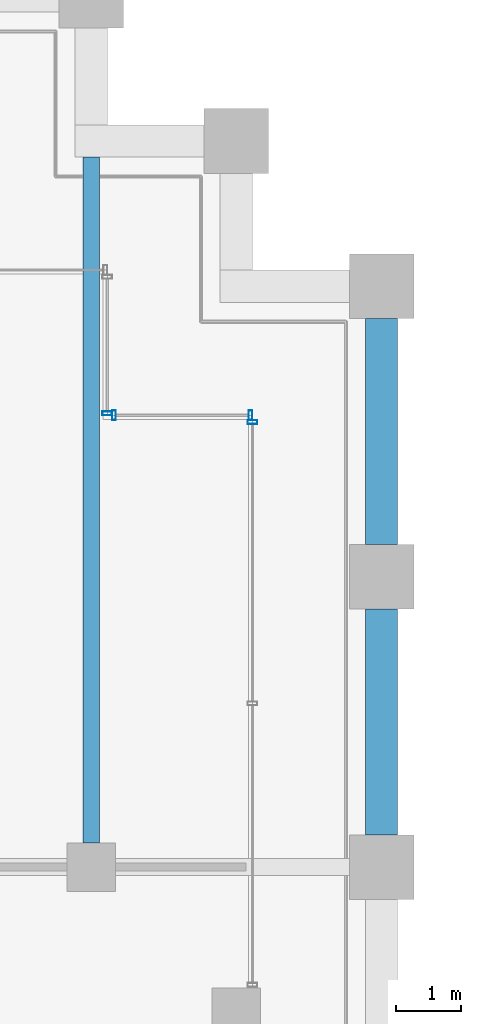
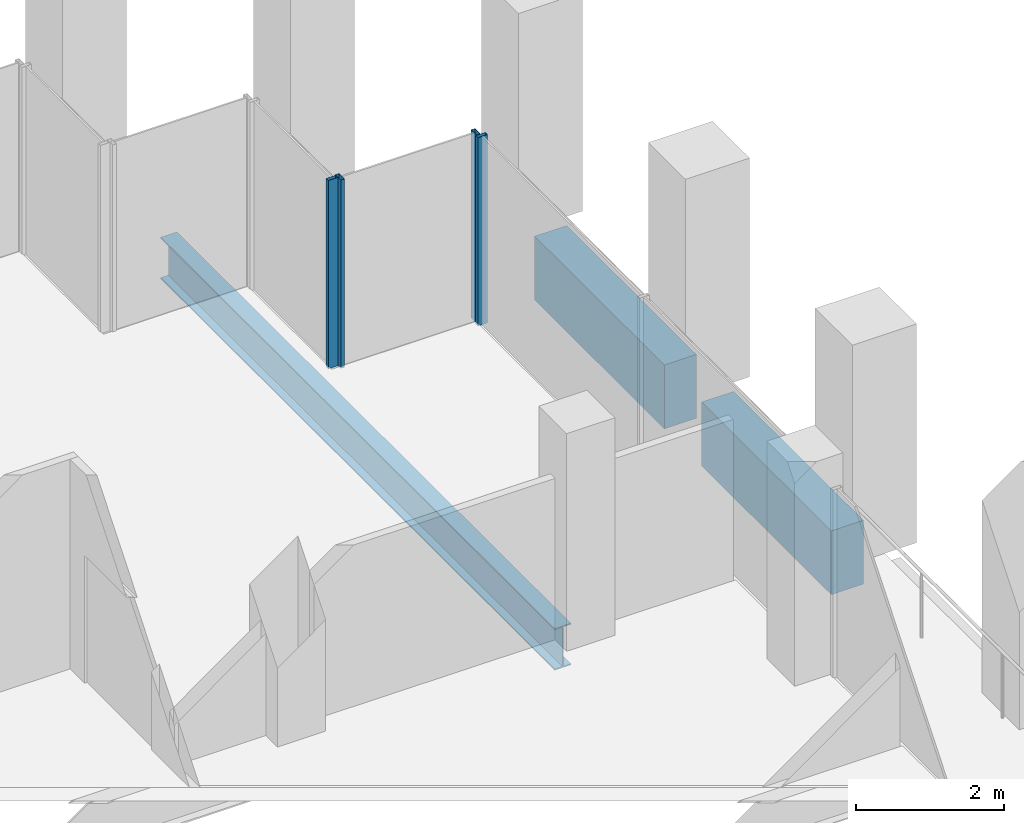
# One storey, part 25 of 46: 4 members, 3 beams, 3 elements without a shape of their own.
"""IFC4 building model written with IfcOpenShell, lengths in metres."""

from ifc_helpers import new_model, si_unit, direction, frame, origin, origin_2d, place, context, subcontext, project, spatial, rectangle, hollow_rectangle, i_section, extrude, material, material_profile, profile_set, type_object, element, aggregate, save


model = new_model("IFC4")

# Units and contexts
model_context = context("Model", 3, precision=1e-05, world=origin(), true_north=direction((0.0, 1.0)))
body_context = subcontext(model_context, "Body", "Model", "MODEL_VIEW")
ifc_project = project(units=[si_unit("LENGTHUNIT", "METRE"), si_unit("AREAUNIT", "SQUARE_METRE"), si_unit("VOLUMEUNIT", "CUBIC_METRE"), si_unit("PLANEANGLEUNIT", "RADIAN"), si_unit("MASSUNIT", "GRAM", prefix="KILO")], contexts=[model_context])

# Site, building, storey
site_placement = place(None, origin())
site = spatial("IfcSite", under=ifc_project, at=site_placement, CompositionType="ELEMENT")
building_placement = place(site_placement, origin())
building = spatial("IfcBuilding", under=site, at=building_placement, Name="Altepetl Exchange Towers", CompositionType="ELEMENT")
storey_placement = place(building_placement, frame((0.0, 0.0, 131.60009765625)))
storey = spatial("IfcBuildingStorey", under=building, at=storey_placement, Name="L32", CompositionType="ELEMENT", Elevation=131.60009765625)

# Beam
ifc_material_1 = material(Name="Steel S355", Category="steel")
ifc_material_profile_1 = material_profile(ifc_material_1, i_section(OverallWidth=0.25390625, OverallDepth=0.68408203125, WebThickness=0.012451171875, FlangeThickness=0.018798828125, at=origin_2d()), Name="W27X94")
ifc_profile_set_1 = profile_set([ifc_material_profile_1], Name="Steel S355")
beam_type_1 = type_object("IfcBeamType", Name="Floor beam W27X94", PredefinedType="BEAM", material=ifc_profile_set_1)
beam_placement = place(storey_placement, frame((67.5, 58.875, -0.4921875), z_axis=(0.0, 1.0, 0.0), x_axis=(-1.0, 0.0, 0.0)))
element("IfcBeam", 1, at=beam_placement, inside=storey, type_object=beam_type_1, Name="bm:A:L32:005", PredefinedType="BEAM", context=body_context, shape_type="SweptSolid", body=[
    extrude(i_section(OverallWidth=0.25390625, OverallDepth=0.68408203125, WebThickness=0.012451171875, FlangeThickness=0.018798828125, at=origin_2d()), origin(), (0.0, 0.0, 1.0), 10.625),
])

# Curtain wall, member
ifc_material_2 = material(Name="Aluminium 6063-T6 glazing", Category="aluminium")
curtain_wall_type = type_object("IfcCurtainWallType", Name="Loggia glazing system", PredefinedType="NOTDEFINED", material=ifc_material_2)
curtain_wall_1_placement = place(storey_placement, origin())
curtain_wall_1 = element("IfcCurtainWall", 2, at=curtain_wall_1_placement, inside=storey, type_object=curtain_wall_type, Name="CW1 run", PredefinedType="NOTDEFINED")
ifc_material_3 = material(Name="Aluminium 6063-T6", Category="aluminium")
ifc_material_profile_2 = material_profile(ifc_material_3, hollow_rectangle(XDim=0.06005859375, YDim=0.14990234375, WallThickness=0.0029296875, at=origin_2d()), Name="Mullion 60x150 aluminium")
ifc_profile_set_2 = profile_set([ifc_material_profile_2], Name="Aluminium 6063-T6")
member_type = type_object("IfcMemberType", Name="Mullion 60x150 aluminium", PredefinedType="MULLION", material=ifc_profile_set_2)
member_1_placement = place(storey_placement, frame((70.0, 65.39501953125, 0.0), z_axis=(0.0, 0.0, 1.0), x_axis=(0.0, 1.0, 0.0)))
member_1 = element("IfcMember", 3, at=member_1_placement, type_object=member_type, Name="MU1 mullion", PredefinedType="MULLION", context=body_context, shape_type="SweptSolid", body=[
    extrude(hollow_rectangle(XDim=0.06005859375, YDim=0.14990234375, WallThickness=0.0029296875, at=origin_2d()), origin(), (0.0, 0.0, 1.0), 3.099853515625),
])
aggregate(curtain_wall_1, [member_1])

# Curtain wall, members
curtain_wall_2_placement = place(storey_placement, origin())
curtain_wall_2 = element("IfcCurtainWall", 4, at=curtain_wall_2_placement, inside=storey, type_object=curtain_wall_type, Name="CW1 run", PredefinedType="NOTDEFINED")
member_2_placement = place(storey_placement, frame((69.969970703125, 65.5, 0.0), z_axis=(0.0, 0.0, 1.0), x_axis=(-1.0, 0.0, 0.0)))
member_2 = element("IfcMember", 5, at=member_2_placement, type_object=member_type, Name="MU1 mullion", PredefinedType="MULLION", context=body_context, shape_type="SweptSolid", body=[
    extrude(hollow_rectangle(XDim=0.06005859375, YDim=0.14990234375, WallThickness=0.0029296875, at=origin_2d()), origin(), (0.0, 0.0, 1.0), 3.099853515625),
])
member_3_placement = place(storey_placement, frame((67.85498046875, 65.5, 0.0), z_axis=(0.0, 0.0, 1.0), x_axis=(-1.0, 0.0, 0.0)))
member_3 = element("IfcMember", 6, at=member_3_placement, type_object=member_type, Name="MU1 mullion", PredefinedType="MULLION", context=body_context, shape_type="SweptSolid", body=[
    extrude(hollow_rectangle(XDim=0.06005859375, YDim=0.14990234375, WallThickness=0.0029296875, at=origin_2d()), origin(), (0.0, 0.0, 1.0), 3.099853515625),
])
aggregate(curtain_wall_2, [member_2, member_3])

# Curtain wall, member
curtain_wall_3_placement = place(storey_placement, origin())
curtain_wall_3 = element("IfcCurtainWall", 7, at=curtain_wall_3_placement, inside=storey, type_object=curtain_wall_type, Name="CW1 run", PredefinedType="NOTDEFINED")
member_4_placement = place(storey_placement, frame((67.75, 65.530029296875, 0.0), z_axis=(0.0, 0.0, 1.0), x_axis=(0.0, 1.0, 0.0)))
member_4 = element("IfcMember", 8, at=member_4_placement, type_object=member_type, Name="MU1 mullion", PredefinedType="MULLION", context=body_context, shape_type="SweptSolid", body=[
    extrude(hollow_rectangle(XDim=0.06005859375, YDim=0.14990234375, WallThickness=0.0029296875, at=origin_2d()), origin(), (0.0, 0.0, 1.0), 3.099853515625),
])
aggregate(curtain_wall_3, [member_4])

# Beams
ifc_material_4 = material(Name="Concrete C50/60 precast with cantera rosa facing", Category="concrete")
ifc_material_profile_3 = material_profile(ifc_material_4, rectangle(XDim=0.5, YDim=1.050048828125, at=origin_2d()), Name="500 x 1050")
ifc_profile_set_3 = profile_set([ifc_material_profile_3], Name="Concrete C50/60 precast with cantera rosa facing")
beam_type_2 = type_object("IfcBeamType", Name="Spandrel beam 500x1050 cantera rosa", PredefinedType="SPANDREL", material=ifc_profile_set_3)
for number, where, z_axis, x_axis, name in (
    (9, (72.0, 59.0, -0.675048828125), (0.0, 1.0, 0.0), (-1.0, 0.0, 0.0), "sp:A:L32:018"),
    (10, (72.0, 63.5, -0.675048828125), (0.0, 1.0, 0.0), (-1.0, 0.0, 0.0), "sp:A:L32:019"),
):
    element("IfcBeam", number, at=place(storey_placement, frame(where, z_axis=z_axis, x_axis=x_axis)), inside=storey, type_object=beam_type_2, Name=name, PredefinedType="SPANDREL", context=body_context, shape_type="SweptSolid", body=[
        extrude(rectangle(XDim=0.5, YDim=1.050048828125, at=origin_2d()), origin(), (0.0, 0.0, 1.0), 3.5),
    ])

save(model, "model.ifc")
